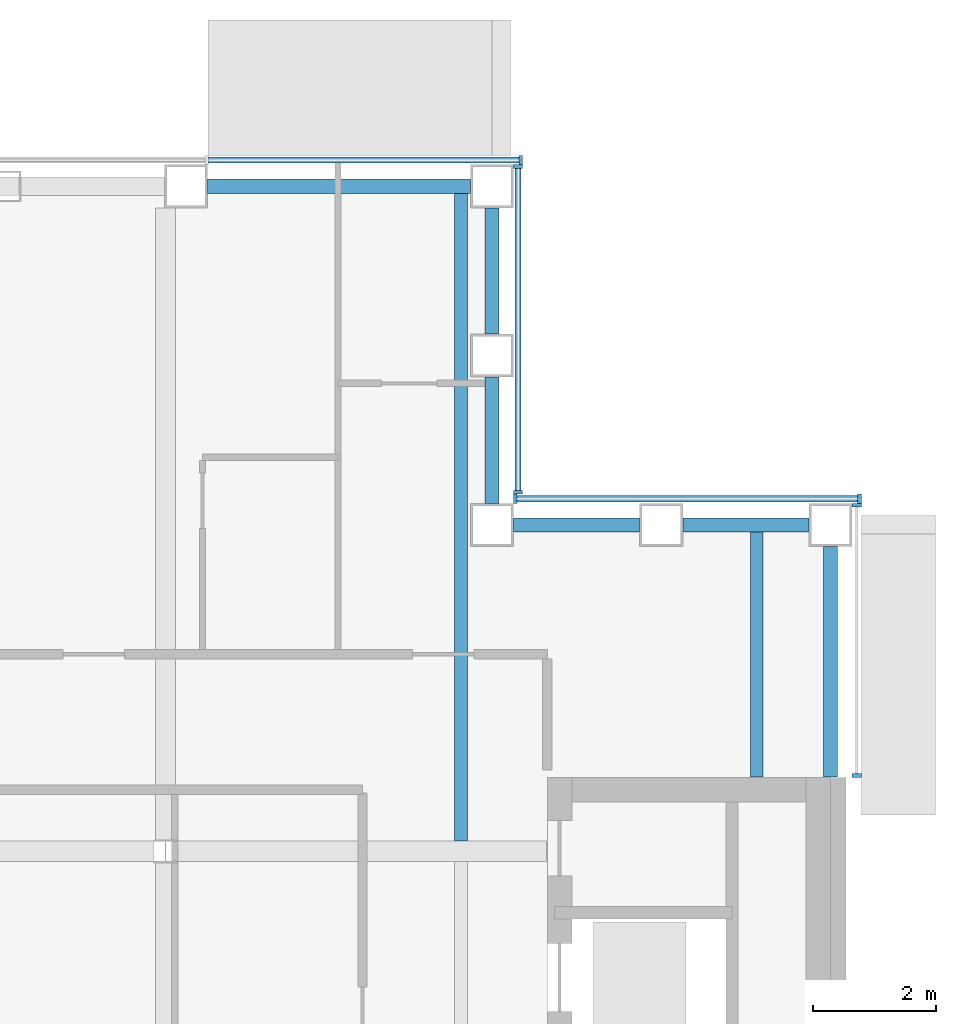
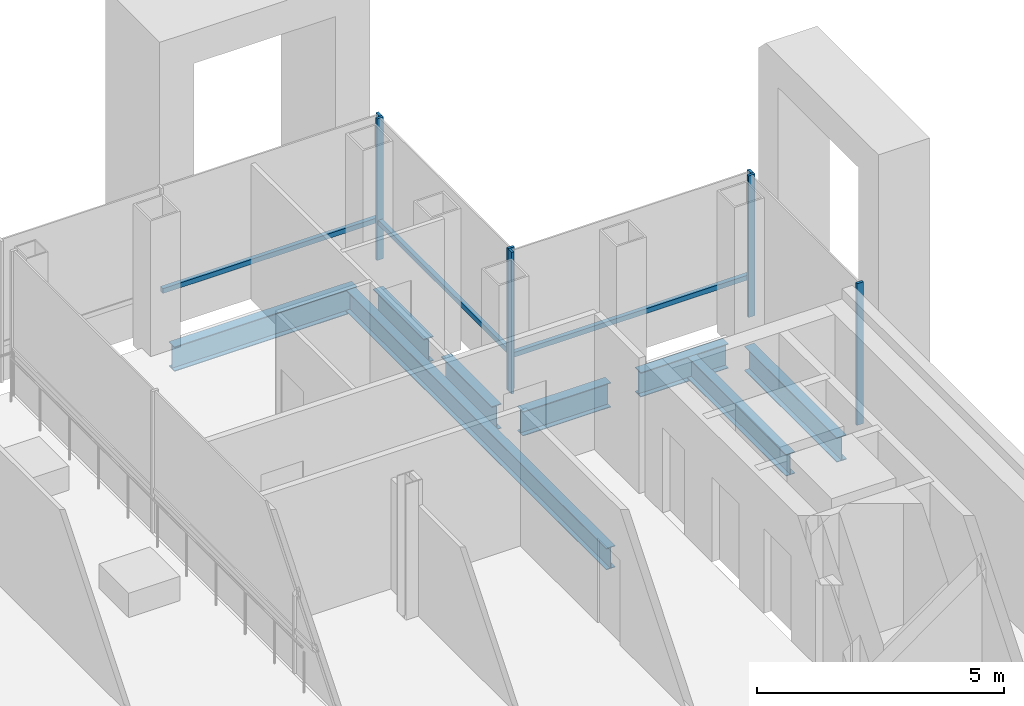
# One storey, part 8 of 17: 10 members, 8 beams, 4 elements without a shape of their own.
"""IFC4 building model written with IfcOpenShell, lengths in metres."""

from ifc_helpers import new_model, si_unit, direction, frame, origin, origin_2d, place, context, subcontext, project, spatial, rectangle, i_section, extrude, material, material_profile, profile_set, type_object, element, aggregate, save


model = new_model("IFC4")

# Units and contexts
model_context = context("Model", 3, precision=1e-05, world=origin(), true_north=direction((0.0, 1.0)))
body_context = subcontext(model_context, "Body", "Model", "MODEL_VIEW")
ifc_project = project(units=[si_unit("LENGTHUNIT", "METRE"), si_unit("AREAUNIT", "SQUARE_METRE"), si_unit("VOLUMEUNIT", "CUBIC_METRE"), si_unit("PLANEANGLEUNIT", "RADIAN"), si_unit("MASSUNIT", "GRAM", prefix="KILO")], contexts=[model_context])

# Site, building, storey
site_placement = place(None, origin())
site = spatial("IfcSite", under=ifc_project, at=site_placement, CompositionType="ELEMENT")
building_placement = place(site_placement, origin())
building = spatial("IfcBuilding", under=site, at=building_placement, Name="Cobrizo Arcos Hotel Tower", CompositionType="ELEMENT")
storey_placement = place(building_placement, frame((0.0, 0.0, 219.0)))
storey = spatial("IfcBuildingStorey", under=building, at=storey_placement, Name="L57", CompositionType="ELEMENT", Elevation=219.0)

# Curtain wall, members
ifc_material_1 = material(Name="Aluminium 6063-T6 anodised bronze", Category="aluminium")
curtain_wall_type = type_object("IfcCurtainWallType", Name="CW-A guest facade", PredefinedType="NOTDEFINED", material=ifc_material_1)
curtain_wall_1_placement = place(storey_placement, origin())
curtain_wall_1 = element("IfcCurtainWall", 1, at=curtain_wall_1_placement, inside=storey, type_object=curtain_wall_type, Name="CW-A L57 E face", PredefinedType="NOTDEFINED")
ifc_material_profile_1 = material_profile(ifc_material_1, rectangle(XDim=0.14990234375, YDim=0.06005859375, at=origin_2d()), Name="CW-A mullion 150x60")
ifc_profile_set_1 = profile_set([ifc_material_profile_1], Name="Aluminium 6063-T6 anodised bronze")
member_type_1 = type_object("IfcMemberType", Name="CW-A mullion 150x60", PredefinedType="MULLION", material=ifc_profile_set_1)
member_1_placement = place(storey_placement, frame((20.824951171875, 10.830078125, 0.0), z_axis=(0.0, 0.0, 1.0), x_axis=(1.0, 0.0, 0.0)))
member_1 = element("IfcMember", 2, at=member_1_placement, type_object=member_type_1, Name="CW-A mullion 1", PredefinedType="MULLION", context=body_context, shape_type="SweptSolid", body=[
    extrude(rectangle(XDim=0.14990234375, YDim=0.06005859375, at=origin_2d()), origin(), (0.0, 0.0, 1.0), 3.5),
])
member_2_placement = place(storey_placement, frame((20.824951171875, 15.219970703125, 0.0), z_axis=(0.0, 0.0, 1.0), x_axis=(1.0, 0.0, 0.0)))
member_2 = element("IfcMember", 3, at=member_2_placement, type_object=member_type_1, Name="CW-A mullion 2", PredefinedType="MULLION", context=body_context, shape_type="SweptSolid", body=[
    extrude(rectangle(XDim=0.14990234375, YDim=0.06005859375, at=origin_2d()), origin(), (0.0, 0.0, 1.0), 3.5),
])
aggregate(curtain_wall_1, [member_1, member_2])

curtain_wall_2_placement = place(storey_placement, origin())
curtain_wall_2 = element("IfcCurtainWall", 4, at=curtain_wall_2_placement, inside=storey, type_object=curtain_wall_type, Name="CW-A L57 N face", PredefinedType="NOTDEFINED")
member_3_placement = place(storey_placement, frame((20.8701171875, 15.324951171875, 0.0), z_axis=(0.0, 0.0, 1.0), x_axis=(0.0, 1.0, 0.0)))
member_3 = element("IfcMember", 5, at=member_3_placement, type_object=member_type_1, Name="CW-A mullion 1", PredefinedType="MULLION", context=body_context, shape_type="SweptSolid", body=[
    extrude(rectangle(XDim=0.14990234375, YDim=0.06005859375, at=origin_2d()), origin(), (0.0, 0.0, 1.0), 3.5),
])
member_4_placement = place(storey_placement, frame((15.280029296875, 15.324951171875, 0.0), z_axis=(0.0, 0.0, 1.0), x_axis=(0.0, 1.0, 0.0)))
member_4 = element("IfcMember", 6, at=member_4_placement, type_object=member_type_1, Name="CW-A mullion 2", PredefinedType="MULLION", context=body_context, shape_type="SweptSolid", body=[
    extrude(rectangle(XDim=0.14990234375, YDim=0.06005859375, at=origin_2d()), origin(), (0.0, 0.0, 1.0), 3.5),
])

curtain_wall_3_placement = place(storey_placement, origin())
curtain_wall_3 = element("IfcCurtainWall", 7, at=curtain_wall_3_placement, inside=storey, type_object=curtain_wall_type, Name="CW-A L57 E face", PredefinedType="NOTDEFINED")
member_5_placement = place(storey_placement, frame((15.324951171875, 15.429931640625, 0.0), z_axis=(0.0, 0.0, 1.0), x_axis=(1.0, 0.0, 0.0)))
member_5 = element("IfcMember", 8, at=member_5_placement, type_object=member_type_1, Name="CW-A mullion 1", PredefinedType="MULLION", context=body_context, shape_type="SweptSolid", body=[
    extrude(rectangle(XDim=0.14990234375, YDim=0.06005859375, at=origin_2d()), origin(), (0.0, 0.0, 1.0), 3.5),
])
member_6_placement = place(storey_placement, frame((15.324951171875, 20.719970703125, 0.0), z_axis=(0.0, 0.0, 1.0), x_axis=(1.0, 0.0, 0.0)))
member_6 = element("IfcMember", 9, at=member_6_placement, type_object=member_type_1, Name="CW-A mullion 2", PredefinedType="MULLION", context=body_context, shape_type="SweptSolid", body=[
    extrude(rectangle(XDim=0.14990234375, YDim=0.06005859375, at=origin_2d()), origin(), (0.0, 0.0, 1.0), 3.5),
])

# Curtain wall, member
curtain_wall_4_placement = place(storey_placement, origin())
curtain_wall_4 = element("IfcCurtainWall", 10, at=curtain_wall_4_placement, inside=storey, type_object=curtain_wall_type, Name="CW-A L57 N face", PredefinedType="NOTDEFINED")
member_7_placement = place(storey_placement, frame((15.3701171875, 20.824951171875, 0.0), z_axis=(0.0, 0.0, 1.0), x_axis=(0.0, 1.0, 0.0)))
member_7 = element("IfcMember", 11, at=member_7_placement, type_object=member_type_1, Name="CW-A mullion 1", PredefinedType="MULLION", context=body_context, shape_type="SweptSolid", body=[
    extrude(rectangle(XDim=0.14990234375, YDim=0.06005859375, at=origin_2d()), origin(), (0.0, 0.0, 1.0), 3.5),
])

# Member
ifc_material_profile_2 = material_profile(ifc_material_1, rectangle(XDim=0.10009765625, YDim=0.1201171875, at=origin_2d()), Name="CW-A transom 120x100")
ifc_profile_set_2 = profile_set([ifc_material_profile_2], Name="Aluminium 6063-T6 anodised bronze")
member_type_2 = type_object("IfcMemberType", Name="CW-A transom 120x100", PredefinedType="USERDEFINED", material=ifc_profile_set_2)
member_8_placement = place(storey_placement, frame((20.840087890625, 15.324951171875, 0.929931640625), z_axis=(-1.0, 0.0, 0.0), x_axis=(0.0, -1.0, 0.0)))
member_8 = element("IfcMember", 12, at=member_8_placement, type_object=member_type_2, Name="CW-A transom 1896", ObjectType="TRANSOM", PredefinedType="USERDEFINED", context=body_context, shape_type="SweptSolid", body=[
    extrude(rectangle(XDim=0.10009765625, YDim=0.1201171875, at=origin_2d()), origin(), (0.0, 0.0, 1.0), 5.530029296875),
])

aggregate(curtain_wall_2, [member_3, member_4, member_8])

member_9_placement = place(storey_placement, frame((15.324951171875, 15.4599609375, 0.929931640625), z_axis=(0.0, 1.0, 0.0), x_axis=(-1.0, 0.0, 0.0)))
member_9 = element("IfcMember", 13, at=member_9_placement, type_object=member_type_2, Name="CW-A transom 1897", ObjectType="TRANSOM", PredefinedType="USERDEFINED", context=body_context, shape_type="SweptSolid", body=[
    extrude(rectangle(XDim=0.10009765625, YDim=0.1201171875, at=origin_2d()), origin(), (0.0, 0.0, 1.0), 5.22998046875),
])

aggregate(curtain_wall_3, [member_5, member_6, member_9])

member_10_placement = place(storey_placement, frame((15.340087890625, 20.824951171875, 0.929931640625), z_axis=(-1.0, 0.0, 0.0), x_axis=(0.0, -1.0, 0.0)))
member_10 = element("IfcMember", 14, at=member_10_placement, type_object=member_type_2, Name="CW-A transom 1898", ObjectType="TRANSOM", PredefinedType="USERDEFINED", context=body_context, shape_type="SweptSolid", body=[
    extrude(rectangle(XDim=0.10009765625, YDim=0.1201171875, at=origin_2d()), origin(), (0.0, 0.0, 1.0), 5.04345703125),
])

aggregate(curtain_wall_4, [member_7, member_10])

# Beams
ifc_material_2 = material(Name="Steel ASTM A992 Grade 50", Category="steel")
ifc_material_profile_3 = material_profile(ifc_material_2, i_section(OverallWidth=0.209228515625, OverallDepth=0.533447265625, WebThickness=0.01025390625, FlangeThickness=0.015625, at=origin_2d()), Name="W21X62")
ifc_profile_set_3 = profile_set([ifc_material_profile_3], Name="Steel ASTM A992 Grade 50")
beam_type_1 = type_object("IfcBeamType", Name="W21X62 joist", PredefinedType="JOIST", material=ifc_profile_set_3)
beam_1_placement = place(storey_placement, frame((14.39990234375, 9.763916015625, -0.416748046875), z_axis=(0.0, 1.0, 0.0), x_axis=(-1.0, 0.0, 0.0)))
element("IfcBeam", 15, at=beam_1_placement, inside=storey, type_object=beam_type_1, Name="Floor joist J1, L57, no. 018", PredefinedType="JOIST", context=body_context, shape_type="SweptSolid", body=[
    extrude(i_section(OverallWidth=0.209228515625, OverallDepth=0.533447265625, WebThickness=0.01025390625, FlangeThickness=0.015625, at=origin_2d()), origin(), (0.0, 0.0, 1.0), 10.546142578125),
])
beam_2_placement = place(storey_placement, frame((19.199951171875, 10.81005859375, -0.416748046875), z_axis=(0.0, 1.0, 0.0), x_axis=(-1.0, 0.0, 0.0)))
element("IfcBeam", 16, at=beam_2_placement, inside=storey, type_object=beam_type_1, Name="Floor joist J1, L57, no. 020", PredefinedType="JOIST", context=body_context, shape_type="SweptSolid", body=[
    extrude(i_section(OverallWidth=0.209228515625, OverallDepth=0.533447265625, WebThickness=0.01025390625, FlangeThickness=0.015625, at=origin_2d()), origin(), (0.0, 0.0, 1.0), 4.0),
])
ifc_material_profile_4 = material_profile(ifc_material_2, i_section(OverallWidth=0.228271484375, OverallDepth=0.607177734375, WebThickness=0.01123046875, FlangeThickness=0.017333984375, at=origin_2d()), Name="W24X76")
ifc_profile_set_4 = profile_set([ifc_material_profile_4], Name="Steel ASTM A992 Grade 50")
beam_type_2 = type_object("IfcBeamType", Name="W24X76 spandrel", PredefinedType="SPANDREL", material=ifc_profile_set_4)
beam_3_placement = place(storey_placement, frame((20.39990234375, 10.81005859375, -0.45361328125), z_axis=(0.0, 1.0, 0.0), x_axis=(-1.0, 0.0, 0.0)))
element("IfcBeam", 17, at=beam_3_placement, inside=storey, type_object=beam_type_2, Name="Spandrel beam W24X76, L57, no. 010", PredefinedType="SPANDREL", context=body_context, shape_type="SweptSolid", body=[
    extrude(i_section(OverallWidth=0.228271484375, OverallDepth=0.607177734375, WebThickness=0.01123046875, FlangeThickness=0.017333984375, at=origin_2d()), origin(), (0.0, 0.0, 1.0), 3.739990234375),
])
for number, where, z_axis, x_axis, name in (
    (18, (20.050048828125, 14.89990234375, -0.45361328125), (-1.0, 0.0, 0.0), (0.0, -1.0, 0.0), "Spandrel beam W24X76, L57, no. 011"),
    (19, (17.300048828125, 14.89990234375, -0.45361328125), (-1.0, 0.0, 0.0), (0.0, -1.0, 0.0), "Spandrel beam W24X76, L57, no. 012"),
    (20, (14.89990234375, 15.25, -0.45361328125), (0.0, 1.0, 0.0), (-1.0, 0.0, 0.0), "Spandrel beam W24X76, L57, no. 013"),
    (21, (14.89990234375, 18.0, -0.45361328125), (0.0, 1.0, 0.0), (-1.0, 0.0, 0.0), "Spandrel beam W24X76, L57, no. 014"),
):
    element("IfcBeam", number, at=place(storey_placement, frame(where, z_axis=z_axis, x_axis=x_axis)), inside=storey, type_object=beam_type_2, Name=name, PredefinedType="SPANDREL", context=body_context, shape_type="SweptSolid", body=[
        extrude(i_section(OverallWidth=0.228271484375, OverallDepth=0.607177734375, WebThickness=0.01123046875, FlangeThickness=0.017333984375, at=origin_2d()), origin(), (0.0, 0.0, 1.0), 2.050048828125),
    ])
beam_4_placement = place(storey_placement, frame((14.550048828125, 20.39990234375, -0.45361328125), z_axis=(-1.0, 0.0, 0.0), x_axis=(0.0, -1.0, 0.0)))
element("IfcBeam", 22, at=beam_4_placement, inside=storey, type_object=beam_type_2, Name="Spandrel beam W24X76, L57, no. 015", PredefinedType="SPANDREL", context=body_context, shape_type="SweptSolid", body=[
    extrude(i_section(OverallWidth=0.228271484375, OverallDepth=0.607177734375, WebThickness=0.01123046875, FlangeThickness=0.017333984375, at=origin_2d()), origin(), (0.0, 0.0, 1.0), 4.26708984375),
])

save(model, "model.ifc")
